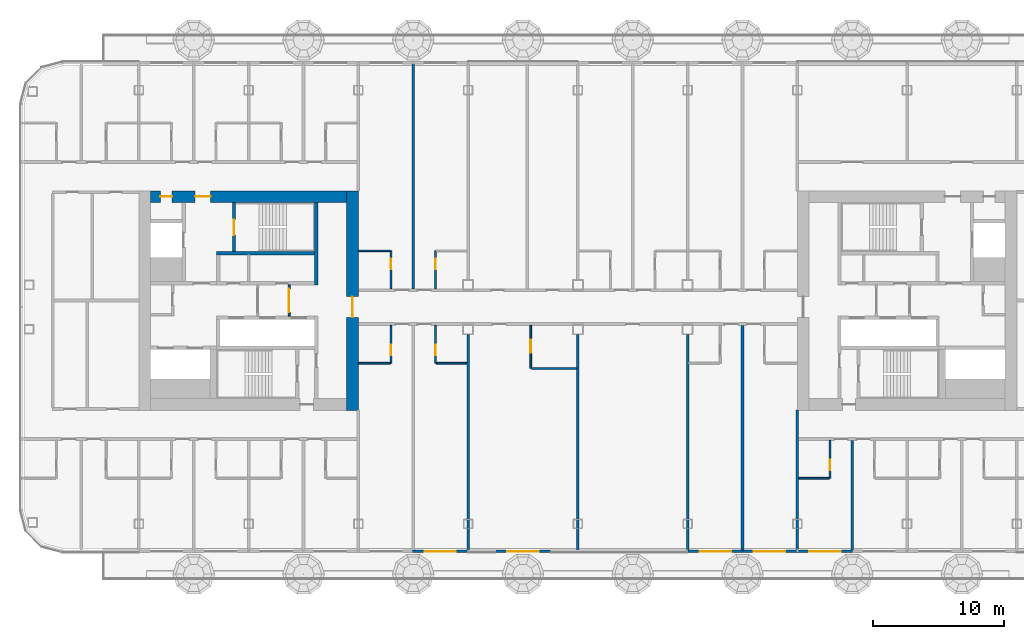
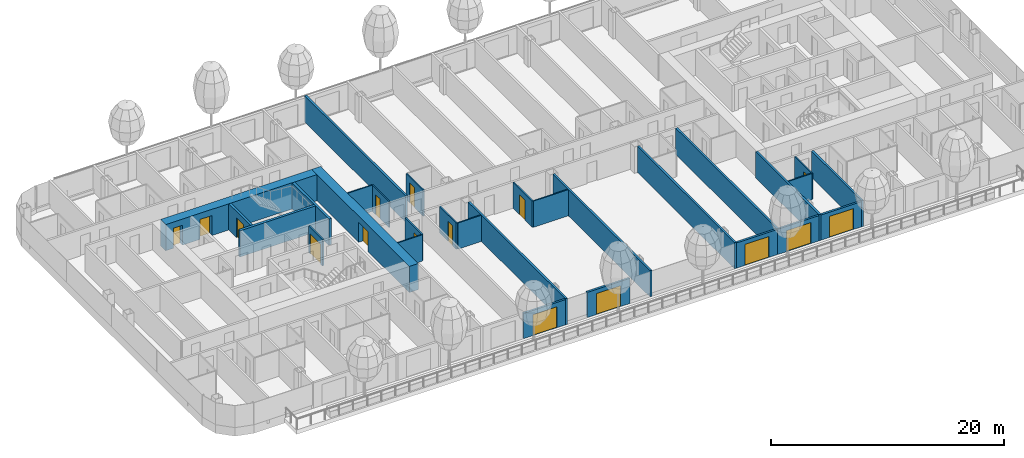
# One storey, part 14 of 32: 29 walls, 16 doors, 16 openings, 1 element without a shape of its own.
"""IFC4 building model written with IfcOpenShell, lengths in metres."""

from ifc_helpers import new_model, si_unit, direction, frame, frame_2d, origin, place, context, subcontext, project, spatial, rectangle, extrude, material, layer, layer_set, type_object, element, fill, aggregate, save


model = new_model("IFC4")

# Units and contexts
model_context = context("Model", 3, precision=1e-05, world=origin(), true_north=direction((0.0, 1.0)))
body_context = subcontext(model_context, "Body", "Model", "MODEL_VIEW")
ifc_project = project(units=[si_unit("LENGTHUNIT", "METRE"), si_unit("AREAUNIT", "SQUARE_METRE"), si_unit("VOLUMEUNIT", "CUBIC_METRE"), si_unit("PLANEANGLEUNIT", "RADIAN"), si_unit("MASSUNIT", "GRAM", prefix="KILO")], contexts=[model_context])

# Site, building, storey
site_placement = place(None, origin())
site = spatial("IfcSite", under=ifc_project, at=site_placement, CompositionType="ELEMENT")
building_placement = place(site_placement, origin())
building = spatial("IfcBuilding", under=site, at=building_placement, Name="Hakoniwa Tower and Hamabe Station Hall", CompositionType="ELEMENT")
storey_placement = place(building_placement, frame((0.0, 0.0, 150.199951171875)))
storey = spatial("IfcBuildingStorey", under=building, at=storey_placement, Name="L42", CompositionType="ELEMENT", Elevation=150.199951171875)

# Walls
ifc_material_1 = material(Name="Gypsum board partition", Category="gypsum")
ifc_layer_1 = layer(ifc_material_1, 0.125)
ifc_layer_set_1 = layer_set([ifc_layer_1], Name="Bathroom Partition 125")
wall_type_1 = type_object("IfcWallType", Name="Bathroom Partition 125", PredefinedType="PARTITIONING", material=ifc_layer_set_1)
wall_1_placement = place(storey_placement, frame((16.89990234375, -13.60009765625, 0.0), z_axis=(0.0, 0.0, 1.0), x_axis=(1.0, 0.0, 0.0)))
element("IfcWall", 1, at=wall_1_placement, inside=storey, type_object=wall_type_1, Name="GW-L42-005", PredefinedType="PARTITIONING", context=body_context, shape_type="SweptSolid", body=[
    extrude(rectangle(XDim=2.337646484375, YDim=0.125, at=frame_2d((1.1689453125, 0.0))), origin(), (0.0, 0.0, 1.0), 2.75),
])
wall_2_placement = place(storey_placement, frame((-3.53759765625, -5.199951171875, 0.0), z_axis=(0.0, 0.0, 1.0), x_axis=(1.0, 0.0, 0.0)))
element("IfcWall", 2, at=wall_2_placement, inside=storey, type_object=wall_type_1, Name="GW-L42-013", PredefinedType="PARTITIONING", context=body_context, shape_type="SweptSolid", body=[
    extrude(rectangle(XDim=3.4375, YDim=0.125, at=frame_2d((1.71875, 0.0))), origin(), (0.0, 0.0, 1.0), 2.75),
])
wall_3_placement = place(storey_placement, frame((-16.81005859375, -4.800048828125, 0.0), z_axis=(0.0, 0.0, 1.0), x_axis=(1.0, 0.0, 0.0)))
element("IfcWall", 3, at=wall_3_placement, inside=storey, type_object=wall_type_1, Name="GW-L42-014", PredefinedType="PARTITIONING", context=body_context, shape_type="SweptSolid", body=[
    extrude(rectangle(XDim=2.447509765625, YDim=0.125, at=frame_2d((1.2236328125, 0.0))), origin(), (0.0, 0.0, 1.0), 2.75),
])
wall_4_placement = place(storey_placement, frame((-10.83740234375, -4.800048828125, 0.0), z_axis=(0.0, 0.0, 1.0), x_axis=(1.0, 0.0, 0.0)))
element("IfcWall", 4, at=wall_4_placement, inside=storey, type_object=wall_type_1, Name="GW-L42-015", PredefinedType="PARTITIONING", context=body_context, shape_type="SweptSolid", body=[
    extrude(rectangle(XDim=2.33740234375, YDim=0.125, at=frame_2d((1.168701171875, 0.0))), origin(), (0.0, 0.0, 1.0), 2.75),
])
wall_5_placement = place(storey_placement, frame((-16.81005859375, 3.800048828125, 0.0), z_axis=(0.0, 0.0, 1.0), x_axis=(1.0, 0.0, 0.0)))
element("IfcWall", 5, at=wall_5_placement, inside=storey, type_object=wall_type_1, Name="GW-L42-022", PredefinedType="PARTITIONING", context=body_context, shape_type="SweptSolid", body=[
    extrude(rectangle(XDim=2.447509765625, YDim=0.125, at=frame_2d((1.2236328125, 0.0))), origin(), (0.0, 0.0, 1.0), 2.75),
])

# Wall, opening, door
wall_6_placement = place(storey_placement, frame((-14.300048828125, -4.800048828125, 0.0), z_axis=(0.0, 0.0, 1.0), x_axis=(0.0, 1.0, 0.0)))
wall_6 = element("IfcWall", 6, at=wall_6_placement, inside=storey, type_object=wall_type_1, Name="GW-L42-062", PredefinedType="PARTITIONING", context=body_context, shape_type="SweptSolid", body=[
    extrude(rectangle(XDim=2.900146484375, YDim=0.125, at=frame_2d((1.4501953125, 0.0))), origin(), (0.0, 0.0, 1.0), 2.75),
])
opening_1_placement = place(wall_6_placement, frame((0.60009765625, 0.0, 0.0)))
opening_1 = element("IfcOpeningElement", 7, at=opening_1_placement, cuts=wall_6, Name="Opening GD-G3B1-56", PredefinedType="OPENING", context=body_context, shape_type="SweptSolid", body=[
    extrude(rectangle(XDim=0.800048828125, YDim=2.10009765625, at=frame_2d((0.39990234375, 1.050048828125))), frame((0.0, 0.072509765625, 0.0), z_axis=(0.0, -1.0, 0.0), x_axis=(1.0, 0.0, 0.0)), (0.0, 0.0, 1.0), 0.14501953125),
])
ifc_material_2 = material(Name="Timber door leaf", Category="wood")
door_type_1 = type_object("IfcDoorType", Name="Bathroom Door 800", OperationType="SINGLE_SWING_LEFT", PredefinedType="DOOR", material=ifc_material_2)
door_1_placement = place(opening_1_placement, origin())
door_1 = element("IfcDoor", 8, at=door_1_placement, inside=storey, type_object=door_type_1, Name="Door GD-G3B1-56", OperationType="SINGLE_SWING_RIGHT", OverallHeight=2.10009765625, OverallWidth=0.800048828125, PredefinedType="DOOR", context=body_context, shape_type="SweptSolid", body=[
    extrude(rectangle(XDim=0.800048828125, YDim=2.10009765625, at=frame_2d((0.39990234375, 1.050048828125))), frame((0.0, 0.02490234375, 0.0), z_axis=(0.0, -1.0, 0.0), x_axis=(1.0, 0.0, 0.0)), (0.0, 0.0, 1.0), 0.050048828125),
])
fill(opening_1, door_1)

wall_7_placement = place(storey_placement, frame((-14.300048828125, 0.89990234375, 0.0), z_axis=(0.0, 0.0, 1.0), x_axis=(0.0, 1.0, 0.0)))
wall_7 = element("IfcWall", 9, at=wall_7_placement, inside=storey, type_object=wall_type_1, Name="GW-L42-063", PredefinedType="PARTITIONING", context=body_context, shape_type="SweptSolid", body=[
    extrude(rectangle(XDim=2.900146484375, YDim=0.125, at=frame_2d((1.4501953125, 0.0))), origin(), (0.0, 0.0, 1.0), 2.75),
])
opening_2_placement = place(wall_7_placement, frame((1.5, 0.0, 0.0)))
opening_2 = element("IfcOpeningElement", 10, at=opening_2_placement, cuts=wall_7, Name="Opening GD-G3B1-57", PredefinedType="OPENING", context=body_context, shape_type="SweptSolid", body=[
    extrude(rectangle(XDim=0.800048828125, YDim=2.10009765625, at=frame_2d((0.39990234375, 1.050048828125))), frame((0.0, 0.072509765625, 0.0), z_axis=(0.0, -1.0, 0.0), x_axis=(1.0, 0.0, 0.0)), (0.0, 0.0, 1.0), 0.14501953125),
])
door_2_placement = place(opening_2_placement, origin())
door_2 = element("IfcDoor", 11, at=door_2_placement, inside=storey, type_object=door_type_1, Name="Door GD-G3B1-57", OperationType="SINGLE_SWING_LEFT", OverallHeight=2.10009765625, OverallWidth=0.800048828125, PredefinedType="DOOR", context=body_context, shape_type="SweptSolid", body=[
    extrude(rectangle(XDim=0.800048828125, YDim=2.10009765625, at=frame_2d((0.39990234375, 1.050048828125))), frame((0.0, 0.02490234375, 0.0), z_axis=(0.0, -1.0, 0.0), x_axis=(1.0, 0.0, 0.0)), (0.0, 0.0, 1.0), 0.050048828125),
])
fill(opening_2, door_2)

wall_8_placement = place(storey_placement, frame((-10.89990234375, -4.800048828125, 0.0), z_axis=(0.0, 0.0, 1.0), x_axis=(0.0, 1.0, 0.0)))
wall_8 = element("IfcWall", 12, at=wall_8_placement, inside=storey, type_object=wall_type_1, Name="GW-L42-066", PredefinedType="PARTITIONING", context=body_context, shape_type="SweptSolid", body=[
    extrude(rectangle(XDim=2.900146484375, YDim=0.125, at=frame_2d((1.4501953125, 0.0))), origin(), (0.0, 0.0, 1.0), 2.75),
])
opening_3_placement = place(wall_8_placement, frame((0.60009765625, 0.0, 0.0)))
opening_3 = element("IfcOpeningElement", 13, at=opening_3_placement, cuts=wall_8, Name="Opening GD-G3B1-58", PredefinedType="OPENING", context=body_context, shape_type="SweptSolid", body=[
    extrude(rectangle(XDim=0.800048828125, YDim=2.10009765625, at=frame_2d((0.39990234375, 1.050048828125))), frame((0.0, 0.072509765625, 0.0), z_axis=(0.0, -1.0, 0.0), x_axis=(1.0, 0.0, 0.0)), (0.0, 0.0, 1.0), 0.14501953125),
])
door_3_placement = place(opening_3_placement, origin())
door_3 = element("IfcDoor", 14, at=door_3_placement, inside=storey, type_object=door_type_1, Name="Door GD-G3B1-58", OperationType="SINGLE_SWING_LEFT", OverallHeight=2.10009765625, OverallWidth=0.800048828125, PredefinedType="DOOR", context=body_context, shape_type="SweptSolid", body=[
    extrude(rectangle(XDim=0.800048828125, YDim=2.10009765625, at=frame_2d((0.39990234375, 1.050048828125))), frame((0.0, 0.02490234375, 0.0), z_axis=(0.0, -1.0, 0.0), x_axis=(1.0, 0.0, 0.0)), (0.0, 0.0, 1.0), 0.050048828125),
])
fill(opening_3, door_3)

wall_9_placement = place(storey_placement, frame((-10.89990234375, 0.89990234375, 0.0), z_axis=(0.0, 0.0, 1.0), x_axis=(0.0, 1.0, 0.0)))
wall_9 = element("IfcWall", 15, at=wall_9_placement, inside=storey, type_object=wall_type_1, Name="GW-L42-067", PredefinedType="PARTITIONING", context=body_context, shape_type="SweptSolid", body=[
    extrude(rectangle(XDim=2.900146484375, YDim=0.125, at=frame_2d((1.4501953125, 0.0))), origin(), (0.0, 0.0, 1.0), 2.75),
])
opening_4_placement = place(wall_9_placement, frame((1.5, 0.0, 0.0)))
opening_4 = element("IfcOpeningElement", 16, at=opening_4_placement, cuts=wall_9, Name="Opening GD-G3B1-59", PredefinedType="OPENING", context=body_context, shape_type="SweptSolid", body=[
    extrude(rectangle(XDim=0.800048828125, YDim=2.10009765625, at=frame_2d((0.39990234375, 1.050048828125))), frame((0.0, 0.072509765625, 0.0), z_axis=(0.0, -1.0, 0.0), x_axis=(1.0, 0.0, 0.0)), (0.0, 0.0, 1.0), 0.14501953125),
])
door_4_placement = place(opening_4_placement, origin())
door_4 = element("IfcDoor", 17, at=door_4_placement, inside=storey, type_object=door_type_1, Name="Door GD-G3B1-59", OperationType="SINGLE_SWING_RIGHT", OverallHeight=2.10009765625, OverallWidth=0.800048828125, PredefinedType="DOOR", context=body_context, shape_type="SweptSolid", body=[
    extrude(rectangle(XDim=0.800048828125, YDim=2.10009765625, at=frame_2d((0.39990234375, 1.050048828125))), frame((0.0, 0.02490234375, 0.0), z_axis=(0.0, -1.0, 0.0), x_axis=(1.0, 0.0, 0.0)), (0.0, 0.0, 1.0), 0.050048828125),
])
fill(opening_4, door_4)

wall_10_placement = place(storey_placement, frame((-3.60009765625, -5.199951171875, 0.0), z_axis=(0.0, 0.0, 1.0), x_axis=(0.0, 1.0, 0.0)))
wall_10 = element("IfcWall", 18, at=wall_10_placement, inside=storey, type_object=wall_type_1, Name="GW-L42-071", PredefinedType="PARTITIONING", context=body_context, shape_type="SweptSolid", body=[
    extrude(rectangle(XDim=3.300048828125, YDim=0.125, at=frame_2d((1.64990234375, 0.0))), origin(), (0.0, 0.0, 1.0), 2.75),
])
opening_5_placement = place(wall_10_placement, frame((1.199951171875, 0.0, 0.0)))
opening_5 = element("IfcOpeningElement", 19, at=opening_5_placement, cuts=wall_10, Name="Opening GD-G3B1-60", PredefinedType="OPENING", context=body_context, shape_type="SweptSolid", body=[
    extrude(rectangle(XDim=1.0, YDim=2.10009765625, at=frame_2d((0.5, 1.050048828125))), frame((0.0, 0.072509765625, 0.0), z_axis=(0.0, -1.0, 0.0), x_axis=(1.0, 0.0, 0.0)), (0.0, 0.0, 1.0), 0.14501953125),
])
ifc_material_3 = material(Name="Timber door leaf", Category="wood")
door_type_2 = type_object("IfcDoorType", Name="Accessible Bathroom Door 1000", OperationType="SINGLE_SWING_LEFT", PredefinedType="DOOR", material=ifc_material_3)
door_5_placement = place(opening_5_placement, origin())
door_5 = element("IfcDoor", 20, at=door_5_placement, inside=storey, type_object=door_type_2, Name="Door GD-G3B1-60", OperationType="SINGLE_SWING_LEFT", OverallHeight=2.10009765625, OverallWidth=1.0, PredefinedType="DOOR", context=body_context, shape_type="SweptSolid", body=[
    extrude(rectangle(XDim=1.0, YDim=2.10009765625, at=frame_2d((0.5, 1.050048828125))), frame((0.0, 0.02490234375, 0.0), z_axis=(0.0, -1.0, 0.0), x_axis=(1.0, 0.0, 0.0)), (0.0, 0.0, 1.0), 0.050048828125),
])
fill(opening_5, door_5)

wall_11_placement = place(storey_placement, frame((19.300048828125, -13.60009765625, 0.0), z_axis=(0.0, 0.0, 1.0), x_axis=(0.0, 1.0, 0.0)))
wall_11 = element("IfcWall", 21, at=wall_11_placement, inside=storey, type_object=wall_type_1, Name="GW-L42-087", PredefinedType="PARTITIONING", context=body_context, shape_type="SweptSolid", body=[
    extrude(rectangle(XDim=2.900146484375, YDim=0.125, at=frame_2d((1.4501953125, 0.0))), origin(), (0.0, 0.0, 1.0), 2.75),
])
opening_6_placement = place(wall_11_placement, frame((0.60009765625, 0.0, 0.0)))
opening_6 = element("IfcOpeningElement", 22, at=opening_6_placement, cuts=wall_11, Name="Opening GD-G3B1-67", PredefinedType="OPENING", context=body_context, shape_type="SweptSolid", body=[
    extrude(rectangle(XDim=0.800048828125, YDim=2.10009765625, at=frame_2d((0.39990234375, 1.050048828125))), frame((0.0, 0.072509765625, 0.0), z_axis=(0.0, -1.0, 0.0), x_axis=(1.0, 0.0, 0.0)), (0.0, 0.0, 1.0), 0.14501953125),
])
door_6_placement = place(opening_6_placement, origin())
door_6 = element("IfcDoor", 23, at=door_6_placement, inside=storey, type_object=door_type_1, Name="Door GD-G3B1-67", OperationType="SINGLE_SWING_RIGHT", OverallHeight=2.10009765625, OverallWidth=0.800048828125, PredefinedType="DOOR", context=body_context, shape_type="SweptSolid", body=[
    extrude(rectangle(XDim=0.800048828125, YDim=2.10009765625, at=frame_2d((0.39990234375, 1.050048828125))), frame((0.0, 0.02490234375, 0.0), z_axis=(0.0, -1.0, 0.0), x_axis=(1.0, 0.0, 0.0)), (0.0, 0.0, 1.0), 0.050048828125),
])
fill(opening_6, door_6)

ifc_material_4 = material(Name="Gypsum board partition")
ifc_layer_2 = layer(ifc_material_4, 0.14990234375)
ifc_layer_set_2 = layer_set([ifc_layer_2], Name="CORE PARTITION 150 EI 60")
wall_type_2 = type_object("IfcWallType", Name="CORE PARTITION 150 EI 60", PredefinedType="PARTITIONING", material=ifc_layer_set_2)
wall_12_placement = place(storey_placement, frame((-22.10009765625, -1.199951171875, 0.0), z_axis=(0.0, 0.0, 1.0), x_axis=(0.0, 1.0, 0.0)))
wall_12 = element("IfcWall", 24, at=wall_12_placement, inside=storey, type_object=wall_type_2, Name="Core partition PL0 west", PredefinedType="PARTITIONING", context=body_context, shape_type="SweptSolid", body=[
    extrude(rectangle(XDim=2.39990234375, YDim=0.14990234375, at=frame_2d((1.199951171875, 0.0))), origin(), (0.0, 0.0, 1.0), 2.75),
])
opening_7_placement = place(wall_12_placement, frame((0.300048828125, 0.0, 0.0)))
opening_7 = element("IfcOpeningElement", 25, at=opening_7_placement, cuts=wall_12, Name="Opening CD-W-LP0-18", PredefinedType="OPENING", context=body_context, shape_type="SweptSolid", body=[
    extrude(rectangle(XDim=1.800048828125, YDim=2.10009765625, at=frame_2d((0.89990234375, 1.050048828125))), frame((0.0, 0.0849609375, 0.0), z_axis=(0.0, -1.0, 0.0), x_axis=(1.0, 0.0, 0.0)), (0.0, 0.0, 1.0), 0.169921875),
])
ifc_material_5 = material(Name="Steel fire door", Category="steel")
door_type_3 = type_object("IfcDoorType", Name="CORE DOOR 1800 FD60", OperationType="DOUBLE_DOOR_SINGLE_SWING", PredefinedType="DOOR", material=ifc_material_5)
door_7_placement = place(opening_7_placement, origin())
door_7 = element("IfcDoor", 26, at=door_7_placement, inside=storey, type_object=door_type_3, Name="Lift lobby partition door", OperationType="DOUBLE_DOOR_SINGLE_SWING", OverallHeight=2.10009765625, OverallWidth=1.800048828125, PredefinedType="DOOR", context=body_context, shape_type="SweptSolid", body=[
    extrude(rectangle(XDim=1.800048828125, YDim=2.10009765625, at=frame_2d((0.89990234375, 1.050048828125))), frame((0.0, 0.02490234375, 0.0), z_axis=(0.0, -1.0, 0.0), x_axis=(1.0, 0.0, 0.0)), (0.0, 0.0, 1.0), 0.050048828125),
])
fill(opening_7, door_7)

ifc_material_6 = material(Name="Concrete C66", Category="concrete")
ifc_layer_3 = layer(ifc_material_6, 0.89990234375)
ifc_layer_set_3 = layer_set([ifc_layer_3], Name="CORE WALL 900 C66")
wall_type_3 = type_object("IfcWallType", Name="CORE WALL 900 C66", PredefinedType="SHEAR", material=ifc_layer_set_3)
wall_13_placement = place(storey_placement, frame((-17.25, -8.39990234375, 0.0), z_axis=(0.0, 0.0, 1.0), x_axis=(0.0, 1.0, 0.0)))
wall_13 = element("IfcWall", 27, at=wall_13_placement, inside=storey, type_object=wall_type_3, Name="Core wall INNER west", PredefinedType="SHEAR", context=body_context, shape_type="SweptSolid", body=[
    extrude(rectangle(XDim=16.7998046875, YDim=0.89990234375, at=frame_2d((8.39990234375, 0.0))), origin(), (0.0, 0.0, 1.0), 2.75),
])
opening_8_placement = place(wall_13_placement, frame((7.10009765625, 0.0, 0.0)))
opening_8 = element("IfcOpeningElement", 28, at=opening_8_placement, cuts=wall_13, Name="Opening CD-W-IN1-16", PredefinedType="OPENING", context=body_context, shape_type="SweptSolid", body=[
    extrude(rectangle(XDim=1.60009765625, YDim=2.10009765625, at=frame_2d((0.800048828125, 1.050048828125))), frame((0.0, 0.4599609375, 0.0), z_axis=(0.0, -1.0, 0.0), x_axis=(1.0, 0.0, 0.0)), (0.0, 0.0, 1.0), 0.919921875),
])
ifc_material_7 = material(Name="Steel fire door", Category="steel")
door_type_4 = type_object("IfcDoorType", Name="CORE DOOR 1600 FD60", OperationType="DOUBLE_DOOR_SINGLE_SWING", PredefinedType="DOOR", material=ifc_material_7)
door_8_placement = place(opening_8_placement, origin())
door_8 = element("IfcDoor", 29, at=door_8_placement, inside=storey, type_object=door_type_4, Name="Lift lobby door", OperationType="DOUBLE_DOOR_SINGLE_SWING", OverallHeight=2.10009765625, OverallWidth=1.60009765625, PredefinedType="DOOR", context=body_context, shape_type="SweptSolid", body=[
    extrude(rectangle(XDim=1.60009765625, YDim=2.10009765625, at=frame_2d((0.800048828125, 1.050048828125))), frame((0.0, 0.02490234375, 0.0), z_axis=(0.0, -1.0, 0.0), x_axis=(1.0, 0.0, 0.0)), (0.0, 0.0, 1.0), 0.050048828125),
])
fill(opening_8, door_8)

# Wall, openings, doors
wall_14_placement = place(storey_placement, frame((-32.699951171875, 7.949951171875, 0.0), z_axis=(0.0, 0.0, 1.0), x_axis=(1.0, 0.0, 0.0)))
wall_14 = element("IfcWall", 30, at=wall_14_placement, inside=storey, type_object=wall_type_3, Name="Core wall NORTH west", PredefinedType="SHEAR", context=body_context, shape_type="SweptSolid", body=[
    extrude(rectangle(XDim=15.0, YDim=0.89990234375, at=frame_2d((7.5, 0.0))), origin(), (0.0, 0.0, 1.0), 2.75),
])
opening_9_placement = place(wall_14_placement, frame((3.39990234375, 0.0, 0.0)))
opening_9 = element("IfcOpeningElement", 31, at=opening_9_placement, cuts=wall_14, Name="Opening CD-W-FN1-12", PredefinedType="OPENING", context=body_context, shape_type="SweptSolid", body=[
    extrude(rectangle(XDim=1.199951171875, YDim=2.10009765625, at=frame_2d((0.60009765625, 1.050048828125))), frame((0.0, 0.4599609375, 0.0), z_axis=(0.0, -1.0, 0.0), x_axis=(1.0, 0.0, 0.0)), (0.0, 0.0, 1.0), 0.919921875),
])
opening_10_placement = place(wall_14_placement, frame((0.75, 0.0, 0.0)))
opening_10 = element("IfcOpeningElement", 32, at=opening_10_placement, cuts=wall_14, Name="Opening CD-W-FN2-9", PredefinedType="OPENING", context=body_context, shape_type="SweptSolid", body=[
    extrude(rectangle(XDim=0.89990234375, YDim=2.10009765625, at=frame_2d((0.449951171875, 1.050048828125))), frame((0.0, 0.4599609375, 0.0), z_axis=(0.0, -1.0, 0.0), x_axis=(1.0, 0.0, 0.0)), (0.0, 0.0, 1.0), 0.919921875),
])
ifc_material_8 = material(Name="Steel fire door", Category="steel")
door_type_5 = type_object("IfcDoorType", Name="CORE DOOR 1200 FD60", OperationType="DOUBLE_DOOR_SINGLE_SWING", PredefinedType="DOOR", material=ifc_material_8)
door_9_placement = place(opening_9_placement, origin())
door_9 = element("IfcDoor", 33, at=door_9_placement, inside=storey, type_object=door_type_5, Name="Stair vestibule door to the fire-fighting lobby", OperationType="DOUBLE_DOOR_SINGLE_SWING", OverallHeight=2.10009765625, OverallWidth=1.199951171875, PredefinedType="DOOR", context=body_context, shape_type="SweptSolid", body=[
    extrude(rectangle(XDim=1.199951171875, YDim=2.10009765625, at=frame_2d((0.60009765625, 1.050048828125))), frame((0.0, 0.02490234375, 0.0), z_axis=(0.0, -1.0, 0.0), x_axis=(1.0, 0.0, 0.0)), (0.0, 0.0, 1.0), 0.050048828125),
])
fill(opening_9, door_9)
ifc_material_9 = material(Name="Steel fire door", Category="steel")
door_type_6 = type_object("IfcDoorType", Name="CORE DOOR 900 FD30", OperationType="NOTDEFINED", PredefinedType="DOOR", material=ifc_material_9)
door_10_placement = place(opening_10_placement, origin())
door_10 = element("IfcDoor", 34, at=door_10_placement, inside=storey, type_object=door_type_6, Name="Riser access door", OperationType="SINGLE_SWING_RIGHT", OverallHeight=2.10009765625, OverallWidth=0.89990234375, PredefinedType="DOOR", context=body_context, shape_type="SweptSolid", body=[
    extrude(rectangle(XDim=0.89990234375, YDim=2.10009765625, at=frame_2d((0.449951171875, 1.050048828125))), frame((0.0, 0.02490234375, 0.0), z_axis=(0.0, -1.0, 0.0), x_axis=(1.0, 0.0, 0.0)), (0.0, 0.0, 1.0), 0.050048828125),
])
fill(opening_10, door_10)

# Walls
ifc_material_10 = material(Name="Concrete C66", Category="concrete")
ifc_layer_4 = layer(ifc_material_10, 0.25)
ifc_layer_set_4 = layer_set([ifc_layer_4], Name="CORE WEB WALL 250 C66")
wall_type_4 = type_object("IfcWallType", Name="CORE WEB WALL 250 C66", PredefinedType="SHEAR", material=ifc_layer_set_4)
wall_15_placement = place(storey_placement, frame((-20.02490234375, 1.199951171875, 0.0), z_axis=(0.0, 0.0, 1.0), x_axis=(0.0, 1.0, 0.0)))
element("IfcWall", 35, at=wall_15_placement, inside=storey, type_object=wall_type_4, Name="Core wall W1N west", PredefinedType="SHEAR", context=body_context, shape_type="SweptSolid", body=[
    extrude(rectangle(XDim=6.300048828125, YDim=0.25, at=frame_2d((3.14990234375, 0.0))), origin(), (0.0, 0.0, 1.0), 2.75),
])
wall_16_placement = place(storey_placement, frame((-27.64990234375, 3.625, 0.0), z_axis=(0.0, 0.0, 1.0), x_axis=(1.0, 0.0, 0.0)))
element("IfcWall", 36, at=wall_16_placement, inside=storey, type_object=wall_type_4, Name="Core wall NR west", PredefinedType="SHEAR", context=body_context, shape_type="SweptSolid", body=[
    extrude(rectangle(XDim=7.5, YDim=0.25, at=frame_2d((3.75, 0.0))), origin(), (0.0, 0.0, 1.0), 2.75),
])

# Wall, opening, door
wall_17_placement = place(storey_placement, frame((-26.324951171875, 3.75, 0.0), z_axis=(0.0, 0.0, 1.0), x_axis=(0.0, 1.0, 0.0)))
wall_17 = element("IfcWall", 37, at=wall_17_placement, inside=storey, type_object=wall_type_4, Name="Core wall NSE west", PredefinedType="SHEAR", context=body_context, shape_type="SweptSolid", body=[
    extrude(rectangle(XDim=3.75, YDim=0.25, at=frame_2d((1.875, 0.0))), origin(), (0.0, 0.0, 1.0), 2.75),
])
opening_11_placement = place(wall_17_placement, frame((1.25, 0.0, 0.0)))
opening_11 = element("IfcOpeningElement", 38, at=opening_11_placement, cuts=wall_17, Name="Opening CD-W-SN-12", PredefinedType="OPENING", context=body_context, shape_type="SweptSolid", body=[
    extrude(rectangle(XDim=1.199951171875, YDim=2.10009765625, at=frame_2d((0.60009765625, 1.050048828125))), frame((0.0, 0.135009765625, 0.0), z_axis=(0.0, -1.0, 0.0), x_axis=(1.0, 0.0, 0.0)), (0.0, 0.0, 1.0), 0.27001953125),
])
door_11_placement = place(opening_11_placement, origin())
door_11 = element("IfcDoor", 39, at=door_11_placement, inside=storey, type_object=door_type_5, Name="Escape stair door", OperationType="DOUBLE_DOOR_SINGLE_SWING", OverallHeight=2.10009765625, OverallWidth=1.199951171875, PredefinedType="DOOR", context=body_context, shape_type="SweptSolid", body=[
    extrude(rectangle(XDim=1.199951171875, YDim=2.10009765625, at=frame_2d((0.60009765625, 1.050048828125))), frame((0.0, 0.02490234375, 0.0), z_axis=(0.0, -1.0, 0.0), x_axis=(1.0, 0.0, 0.0)), (0.0, 0.0, 1.0), 0.050048828125),
])
fill(opening_11, door_11)

# Curtain wall, walls, openings, doors
ifc_material_11 = material(Name="Dark low-e laminated glass", Category="glass")
ifc_layer_5 = layer(ifc_material_11, 0.199951171875)
ifc_layer_set_5 = layer_set([ifc_layer_5], Name="CW-1 UNITISED GUEST")
curtain_wall_type = type_object("IfcCurtainWallType", Name="CW-1 UNITISED GUEST", PredefinedType="NOTDEFINED", material=ifc_layer_set_5)
curtain_wall_placement = place(storey_placement, origin())
curtain_wall = element("IfcCurtainWall", 40, at=curtain_wall_placement, inside=storey, type_object=curtain_wall_type, Name="CW-1 curtain wall", PredefinedType="NOTDEFINED")
ifc_material_12 = material(Name="Dark glass-faced aluminium panel", Category="aluminium")
ifc_layer_6 = layer(ifc_material_12, 0.199951171875)
ifc_layer_set_6 = layer_set([ifc_layer_6], Name="DOOR BAY WALL")
wall_type_5 = type_object("IfcWallType", Name="DOOR BAY WALL", PredefinedType="NOTDEFINED", material=ifc_layer_set_6)
wall_18_placement = place(storey_placement, frame((-12.639892578125, -19.199951171875, 0.0), z_axis=(0.0, 0.0, 1.0), x_axis=(1.0, 0.0, 0.0)))
wall_18 = element("IfcWall", 41, at=wall_18_placement, type_object=wall_type_5, Name="Door bay wall", PredefinedType="NOTDEFINED", context=body_context, shape_type="SweptSolid", body=[
    extrude(rectangle(XDim=4.219970703125, YDim=0.199951171875, at=frame_2d((2.10986328125, 0.0))), origin(), (0.0, 0.0, 1.0), 2.650146484375),
])
opening_12_placement = place(wall_18_placement, frame((0.909912109375, 0.0, 0.0)))
opening_12 = element("IfcOpeningElement", 42, at=opening_12_placement, cuts=wall_18, Name="Opening BD-S07-8", PredefinedType="OPENING", context=body_context, shape_type="SweptSolid", body=[
    extrude(rectangle(XDim=2.39990234375, YDim=2.199951171875, at=frame_2d((1.199951171875, 1.10009765625))), frame((0.0, 0.10986328125, 0.0), z_axis=(0.0, -1.0, 0.0), x_axis=(1.0, 0.0, 0.0)), (0.0, 0.0, 1.0), 0.219970703125),
])
ifc_material_13 = material(Name="Dark low-e laminated glass", Category="glass")
door_type_7 = type_object("IfcDoorType", Name="BALCONY SLIDING DOOR 2400X2200", OperationType="SLIDING_TO_LEFT", PredefinedType="DOOR", material=ifc_material_13)
door_12_placement = place(opening_12_placement, frame((2.39990234375, 0.0, 0.0), z_axis=(0.0, 0.0, 1.0), x_axis=(-1.0, 0.0, 0.0)))
door_12 = element("IfcDoor", 43, at=door_12_placement, inside=storey, type_object=door_type_7, Name="Balcony sliding door", OperationType="SLIDING_TO_LEFT", OverallHeight=2.199951171875, OverallWidth=2.39990234375, PredefinedType="DOOR", context=body_context, shape_type="SweptSolid", body=[
    extrude(rectangle(XDim=2.39990234375, YDim=2.199951171875, at=frame_2d((1.199951171875, 1.10009765625))), frame((0.0, 0.02490234375, 0.0), z_axis=(0.0, -1.0, 0.0), x_axis=(1.0, 0.0, 0.0)), (0.0, 0.0, 1.0), 0.050048828125),
])
fill(opening_12, door_12)
wall_19_placement = place(storey_placement, frame((-6.31005859375, -19.199951171875, 0.0), z_axis=(0.0, 0.0, 1.0), x_axis=(1.0, 0.0, 0.0)))
wall_19 = element("IfcWall", 44, at=wall_19_placement, type_object=wall_type_5, Name="Door bay wall", PredefinedType="NOTDEFINED", context=body_context, shape_type="SweptSolid", body=[
    extrude(rectangle(XDim=4.219970703125, YDim=0.199951171875, at=frame_2d((2.10986328125, 0.0))), origin(), (0.0, 0.0, 1.0), 2.650146484375),
])
opening_13_placement = place(wall_19_placement, frame((0.909912109375, 0.0, 0.0)))
opening_13 = element("IfcOpeningElement", 45, at=opening_13_placement, cuts=wall_19, Name="Opening BD-S07-9", PredefinedType="OPENING", context=body_context, shape_type="SweptSolid", body=[
    extrude(rectangle(XDim=2.39990234375, YDim=2.199951171875, at=frame_2d((1.199951171875, 1.10009765625))), frame((0.0, 0.10986328125, 0.0), z_axis=(0.0, -1.0, 0.0), x_axis=(1.0, 0.0, 0.0)), (0.0, 0.0, 1.0), 0.219970703125),
])
door_13_placement = place(opening_13_placement, frame((2.39990234375, 0.0, 0.0), z_axis=(0.0, 0.0, 1.0), x_axis=(-1.0, 0.0, 0.0)))
door_13 = element("IfcDoor", 46, at=door_13_placement, inside=storey, type_object=door_type_7, Name="Balcony sliding door", OperationType="SLIDING_TO_LEFT", OverallHeight=2.199951171875, OverallWidth=2.39990234375, PredefinedType="DOOR", context=body_context, shape_type="SweptSolid", body=[
    extrude(rectangle(XDim=2.39990234375, YDim=2.199951171875, at=frame_2d((1.199951171875, 1.10009765625))), frame((0.0, 0.02490234375, 0.0), z_axis=(0.0, -1.0, 0.0), x_axis=(1.0, 0.0, 0.0)), (0.0, 0.0, 1.0), 0.050048828125),
])
fill(opening_13, door_13)
wall_20_placement = place(storey_placement, frame((8.419921875, -19.199951171875, 0.0), z_axis=(0.0, 0.0, 1.0), x_axis=(1.0, 0.0, 0.0)))
wall_20 = element("IfcWall", 47, at=wall_20_placement, type_object=wall_type_5, Name="Door bay wall", PredefinedType="NOTDEFINED", context=body_context, shape_type="SweptSolid", body=[
    extrude(rectangle(XDim=4.219970703125, YDim=0.199951171875, at=frame_2d((2.10986328125, 0.0))), origin(), (0.0, 0.0, 1.0), 2.650146484375),
])
opening_14_placement = place(wall_20_placement, frame((0.909912109375, 0.0, 0.0)))
opening_14 = element("IfcOpeningElement", 48, at=opening_14_placement, cuts=wall_20, Name="Opening BD-S07-10", PredefinedType="OPENING", context=body_context, shape_type="SweptSolid", body=[
    extrude(rectangle(XDim=2.39990234375, YDim=2.199951171875, at=frame_2d((1.199951171875, 1.10009765625))), frame((0.0, 0.10986328125, 0.0), z_axis=(0.0, -1.0, 0.0), x_axis=(1.0, 0.0, 0.0)), (0.0, 0.0, 1.0), 0.219970703125),
])
door_14_placement = place(opening_14_placement, frame((2.39990234375, 0.0, 0.0), z_axis=(0.0, 0.0, 1.0), x_axis=(-1.0, 0.0, 0.0)))
door_14 = element("IfcDoor", 49, at=door_14_placement, inside=storey, type_object=door_type_7, Name="Balcony sliding door", OperationType="SLIDING_TO_LEFT", OverallHeight=2.199951171875, OverallWidth=2.39990234375, PredefinedType="DOOR", context=body_context, shape_type="SweptSolid", body=[
    extrude(rectangle(XDim=2.39990234375, YDim=2.199951171875, at=frame_2d((1.199951171875, 1.10009765625))), frame((0.0, 0.02490234375, 0.0), z_axis=(0.0, -1.0, 0.0), x_axis=(1.0, 0.0, 0.0)), (0.0, 0.0, 1.0), 0.050048828125),
])
fill(opening_14, door_14)
wall_21_placement = place(storey_placement, frame((12.56005859375, -19.199951171875, 0.0), z_axis=(0.0, 0.0, 1.0), x_axis=(1.0, 0.0, 0.0)))
wall_21 = element("IfcWall", 50, at=wall_21_placement, type_object=wall_type_5, Name="Door bay wall", PredefinedType="NOTDEFINED", context=body_context, shape_type="SweptSolid", body=[
    extrude(rectangle(XDim=4.219970703125, YDim=0.199951171875, at=frame_2d((2.10986328125, 0.0))), origin(), (0.0, 0.0, 1.0), 2.650146484375),
])
opening_15_placement = place(wall_21_placement, frame((0.909912109375, 0.0, 0.0)))
opening_15 = element("IfcOpeningElement", 51, at=opening_15_placement, cuts=wall_21, Name="Opening BD-S07-11", PredefinedType="OPENING", context=body_context, shape_type="SweptSolid", body=[
    extrude(rectangle(XDim=2.39990234375, YDim=2.199951171875, at=frame_2d((1.199951171875, 1.10009765625))), frame((0.0, 0.10986328125, 0.0), z_axis=(0.0, -1.0, 0.0), x_axis=(1.0, 0.0, 0.0)), (0.0, 0.0, 1.0), 0.219970703125),
])
door_15_placement = place(opening_15_placement, frame((2.39990234375, 0.0, 0.0), z_axis=(0.0, 0.0, 1.0), x_axis=(-1.0, 0.0, 0.0)))
door_15 = element("IfcDoor", 52, at=door_15_placement, inside=storey, type_object=door_type_7, Name="Balcony sliding door", OperationType="SLIDING_TO_LEFT", OverallHeight=2.199951171875, OverallWidth=2.39990234375, PredefinedType="DOOR", context=body_context, shape_type="SweptSolid", body=[
    extrude(rectangle(XDim=2.39990234375, YDim=2.199951171875, at=frame_2d((1.199951171875, 1.10009765625))), frame((0.0, 0.02490234375, 0.0), z_axis=(0.0, -1.0, 0.0), x_axis=(1.0, 0.0, 0.0)), (0.0, 0.0, 1.0), 0.050048828125),
])
fill(opening_15, door_15)
wall_22_placement = place(storey_placement, frame((16.820068359375, -19.199951171875, 0.0), z_axis=(0.0, 0.0, 1.0), x_axis=(1.0, 0.0, 0.0)))
wall_22 = element("IfcWall", 53, at=wall_22_placement, type_object=wall_type_5, Name="Door bay wall", PredefinedType="NOTDEFINED", context=body_context, shape_type="SweptSolid", body=[
    extrude(rectangle(XDim=4.219970703125, YDim=0.199951171875, at=frame_2d((2.10986328125, 0.0))), origin(), (0.0, 0.0, 1.0), 2.650146484375),
])
opening_16_placement = place(wall_22_placement, frame((0.909912109375, 0.0, 0.0)))
opening_16 = element("IfcOpeningElement", 54, at=opening_16_placement, cuts=wall_22, Name="Opening BD-S07-12", PredefinedType="OPENING", context=body_context, shape_type="SweptSolid", body=[
    extrude(rectangle(XDim=2.39990234375, YDim=2.199951171875, at=frame_2d((1.199951171875, 1.10009765625))), frame((0.0, 0.10986328125, 0.0), z_axis=(0.0, -1.0, 0.0), x_axis=(1.0, 0.0, 0.0)), (0.0, 0.0, 1.0), 0.219970703125),
])
door_16_placement = place(opening_16_placement, frame((2.39990234375, 0.0, 0.0), z_axis=(0.0, 0.0, 1.0), x_axis=(-1.0, 0.0, 0.0)))
door_16 = element("IfcDoor", 55, at=door_16_placement, inside=storey, type_object=door_type_7, Name="Balcony sliding door", OperationType="SLIDING_TO_LEFT", OverallHeight=2.199951171875, OverallWidth=2.39990234375, PredefinedType="DOOR", context=body_context, shape_type="SweptSolid", body=[
    extrude(rectangle(XDim=2.39990234375, YDim=2.199951171875, at=frame_2d((1.199951171875, 1.10009765625))), frame((0.0, 0.02490234375, 0.0), z_axis=(0.0, -1.0, 0.0), x_axis=(1.0, 0.0, 0.0)), (0.0, 0.0, 1.0), 0.050048828125),
])
fill(opening_16, door_16)
aggregate(curtain_wall, [wall_18, wall_19, wall_20, wall_21, wall_22])

# Walls
ifc_material_14 = material(Name="Fire-rated gypsum board partition", Category="gypsum")
ifc_layer_7 = layer(ifc_material_14, 0.199951171875)
ifc_layer_set_7 = layer_set([ifc_layer_7], Name="Party Wall 200")
wall_type_6 = type_object("IfcWallType", Name="Party Wall 200", PredefinedType="PARTITIONING", material=ifc_layer_set_7)
wall_23_placement = place(storey_placement, frame((-12.60009765625, 0.89990234375, 0.0), z_axis=(0.0, 0.0, 1.0), x_axis=(0.0, 1.0, 0.0)))
element("IfcWall", 56, at=wall_23_placement, inside=storey, type_object=wall_type_6, Name="GW-L42-065", PredefinedType="PARTITIONING", context=body_context, shape_type="SweptSolid", body=[
    extrude(rectangle(XDim=17.400146484375, YDim=0.199951171875, at=frame_2d((8.7001953125, 0.0))), origin(), (0.0, 0.0, 1.0), 2.75),
])
for number, where, z_axis, x_axis, name in (
    (57, (-8.39990234375, -19.300048828125, 0.0), (0.0, 0.0, 1.0), (0.0, 1.0, 0.0), "GW-L42-068"),
    (58, (0.0, -19.300048828125, 0.0), (0.0, 0.0, 1.0), (0.0, 1.0, 0.0), "GW-L42-072"),
    (59, (8.39990234375, -19.300048828125, 0.0), (0.0, 0.0, 1.0), (0.0, 1.0, 0.0), "GW-L42-077"),
):
    element("IfcWall", number, at=place(storey_placement, frame(where, z_axis=z_axis, x_axis=x_axis)), inside=storey, type_object=wall_type_6, Name=name, PredefinedType="PARTITIONING", context=body_context, shape_type="SweptSolid", body=[
        extrude(rectangle(XDim=16.7099609375, YDim=0.199951171875, at=frame_2d((8.35498046875, 0.0))), origin(), (0.0, 0.0, 1.0), 2.75),
    ])
wall_24_placement = place(storey_placement, frame((12.60009765625, -19.300048828125, 0.0), z_axis=(0.0, 0.0, 1.0), x_axis=(0.0, 1.0, 0.0)))
element("IfcWall", 60, at=wall_24_placement, inside=storey, type_object=wall_type_6, Name="GW-L42-081", PredefinedType="PARTITIONING", context=body_context, shape_type="SweptSolid", body=[
    extrude(rectangle(XDim=17.400146484375, YDim=0.199951171875, at=frame_2d((8.7001953125, 0.0))), origin(), (0.0, 0.0, 1.0), 2.75),
])
wall_25_placement = place(storey_placement, frame((16.800048828125, -19.300048828125, 0.0), z_axis=(0.0, 0.0, 1.0), x_axis=(0.0, 1.0, 0.0)))
element("IfcWall", 61, at=wall_25_placement, inside=storey, type_object=wall_type_6, Name="GW-L42-085", PredefinedType="PARTITIONING", context=body_context, shape_type="SweptSolid", body=[
    extrude(rectangle(XDim=10.91015625, YDim=0.199951171875, at=frame_2d((5.455078125, 0.0))), origin(), (0.0, 0.0, 1.0), 2.75),
])
wall_26_placement = place(storey_placement, frame((21.0, -19.300048828125, 0.0), z_axis=(0.0, 0.0, 1.0), x_axis=(0.0, 1.0, 0.0)))
element("IfcWall", 62, at=wall_26_placement, inside=storey, type_object=wall_type_6, Name="GW-L42-088", PredefinedType="PARTITIONING", context=body_context, shape_type="SweptSolid", body=[
    extrude(rectangle(XDim=8.60009765625, YDim=0.199951171875, at=frame_2d((4.300048828125, 0.0))), origin(), (0.0, 0.0, 1.0), 2.75),
])

save(model, "model.ifc")
